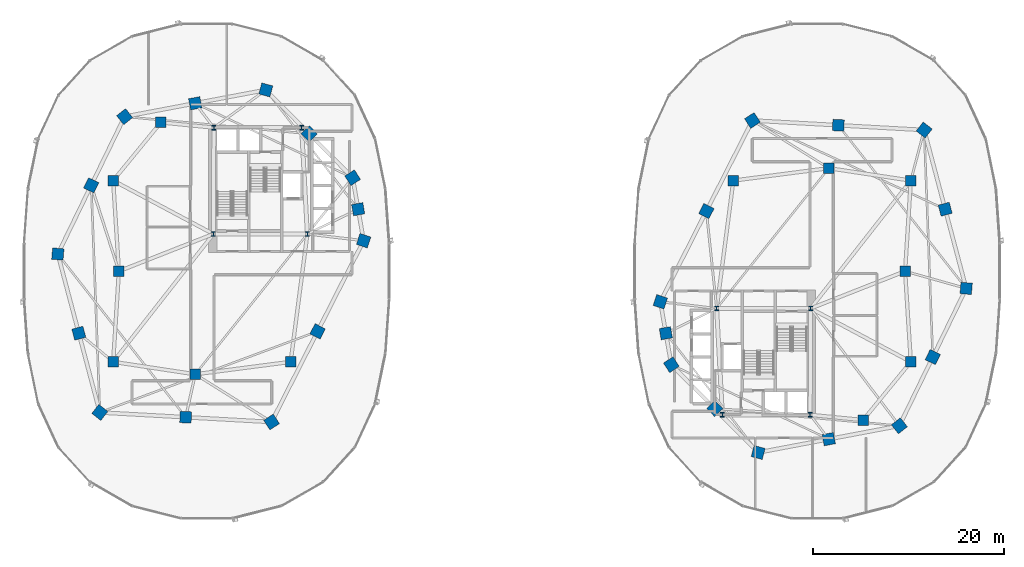
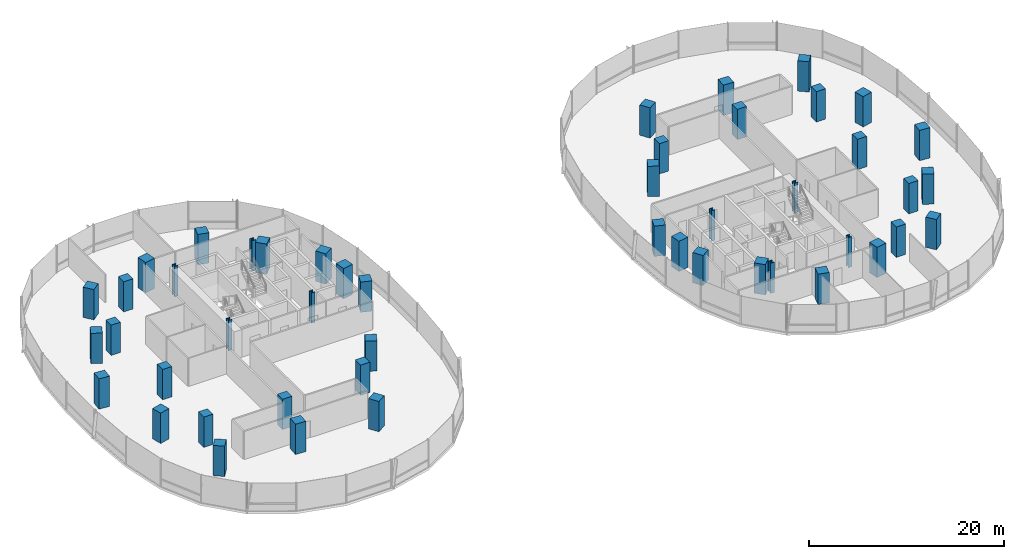
# One storey, part 1 of 21: 48 columns.
"""IFC4 building model written with IfcOpenShell, lengths in metres."""

from ifc_helpers import new_model, si_unit, direction, frame, origin, origin_2d, place, context, subcontext, project, spatial, rectangle, i_section, extrude, material, material_profile, profile_set, type_object, element, save


model = new_model("IFC4")

# Units and contexts
model_context = context("Model", 3, precision=1e-05, world=origin(), true_north=direction((0.0, 1.0)))
body_context = subcontext(model_context, "Body", "Model", "MODEL_VIEW")
ifc_project = project(units=[si_unit("LENGTHUNIT", "METRE"), si_unit("AREAUNIT", "SQUARE_METRE"), si_unit("VOLUMEUNIT", "CUBIC_METRE"), si_unit("PLANEANGLEUNIT", "RADIAN"), si_unit("MASSUNIT", "GRAM", prefix="KILO"), si_unit("THERMODYNAMICTEMPERATUREUNIT", "KELVIN"), si_unit("POWERUNIT", "WATT")], contexts=[model_context])

# Site, building, storey
site_placement = place(None, origin())
site = spatial("IfcSite", under=ifc_project, at=site_placement, CompositionType="ELEMENT")
building_placement = place(site_placement, origin())
building = spatial("IfcBuilding", under=site, at=building_placement, Name="Cundina Bronze Exchange", CompositionType="ELEMENT")
storey_placement = place(building_placement, frame((0.0, 0.0, 69.60009765625)))
storey = spatial("IfcBuildingStorey", under=building, at=storey_placement, Name="L17", CompositionType="ELEMENT", Elevation=69.60009765625)

# Columns
ifc_material_1 = material(Name="Steel ASTM A992 Grade 50", Category="steel")
ifc_material_profile_1 = material_profile(ifc_material_1, i_section(OverallWidth=0.431884765625, OverallDepth=0.498046875, WebThickness=0.0556640625, FlangeThickness=0.0888671875, FilletRadius=0.01806640625, at=origin_2d()), Name="W14X500", Category="steel")
ifc_profile_set_1 = profile_set([ifc_material_profile_1], Name="Steel ASTM A992 Grade 50")
column_type_1 = type_object("IfcColumnType", Name="COL-STL-W14A", PredefinedType="COLUMN", material=ifc_profile_set_1)
for number, where, z_axis, x_axis, name in (
    (1, (-31.300048828125, 3.89990234375, 0.0), (0.0, 0.0, 1.0), (1.0, 0.0, 0.0), "L17 Core Anchor Column W1"),
    (2, (-21.449951171875, 3.89990234375, 0.0), (0.0, 0.0, 1.0), (1.0, 0.0, 0.0), "L17 Core Anchor Column W2"),
    (3, (-22.050048828125, 15.050048828125, 0.0), (0.0, 0.0, 1.0), (1.0, 0.0, 0.0), "L17 Core Anchor Column W3"),
    (4, (-31.25, 15.050048828125, 0.0), (0.0, 0.0, 1.0), (1.0, 0.0, 0.0), "L17 Core Anchor Column W4"),
    (5, (31.300048828125, -3.89990234375, 0.0), (0.0, 0.0, 1.0), (1.0, 0.0, 0.0), "L17 Core Anchor Column E1"),
    (6, (21.449951171875, -3.89990234375, 0.0), (0.0, 0.0, 1.0), (1.0, 0.0, 0.0), "L17 Core Anchor Column E2"),
    (7, (22.050048828125, -15.050048828125, 0.0), (0.0, 0.0, 1.0), (1.0, 0.0, 0.0), "L17 Core Anchor Column E3"),
    (8, (31.25, -15.050048828125, 0.0), (0.0, 0.0, 1.0), (1.0, 0.0, 0.0), "L17 Core Anchor Column E4"),
):
    element("IfcColumn", number, at=place(storey_placement, frame(where, z_axis=z_axis, x_axis=x_axis)), inside=storey, type_object=column_type_1, Name=name, PredefinedType="COLUMN", context=body_context, shape_type="SweptSolid", body=[
        extrude(i_section(OverallWidth=0.431884765625, OverallDepth=0.498046875, WebThickness=0.0556640625, FlangeThickness=0.0888671875, FilletRadius=0.01806640625, at=origin_2d()), origin(), (0.0, 0.0, 1.0), 3.7998046875),
    ])
ifc_material_2 = material(Name="Concrete C60/75", Category="concrete")
ifc_material_profile_2 = material_profile(ifc_material_2, rectangle(XDim=1.199951171875, YDim=1.199951171875, at=origin_2d()), Name="RC1200X1200", Category="concrete")
ifc_profile_set_2 = profile_set([ifc_material_profile_2], Name="Concrete C60/75")
column_type_2 = type_object("IfcColumnType", Name="COL-Z1-1200", PredefinedType="COLUMN", material=ifc_profile_set_2)
for number, where, z_axis, x_axis, name in (
    (9, (-15.550048828125, 3.199951171875, 0.0), (0.0, 0.0, 1.0), (0.315152163383, 0.949041155016, 0.0), "L17 W Perimeter Column 00"),
    (10, (-16.125, 6.5, 0.0), (0.0, 0.0, 1.0), (-0.171585221787, 0.985169280715, 0.0), "L17 W Perimeter Column 01"),
    (11, (-16.699951171875, 9.800048828125, 0.0), (0.0, 0.0, 1.0), (-0.544199833495, 0.838955625301, 0.0), "L17 W Perimeter Column 02"),
    (12, (-21.25, 14.39990234375, 0.0), (0.0, 0.0, 1.0), (-0.703270634186, 0.710922228581, 0.0), "L17 W Perimeter Column 03"),
    (13, (-25.800048828125, 19.0, 0.0), (0.0, 0.0, 1.0), (-0.965970984022, 0.258650455301, 0.0), "L17 W Perimeter Column 04"),
    (14, (-33.199951171875, 17.60009765625, 0.0), (0.0, 0.0, 1.0), (-0.98258037664, -0.185838110843, 0.0), "L17 W Perimeter Column 05"),
    (15, (-40.60009765625, 16.199951171875, 0.0), (0.0, 0.0, 1.0), (-0.785100778485, -0.619368038909, 0.0), "L17 W Perimeter Column 06"),
    (16, (-44.10009765625, 9.0, 0.0), (0.0, 0.0, 1.0), (-0.437115766651, -0.899405251566, 0.0), "L17 W Perimeter Column 07"),
    (17, (-47.60009765625, 1.800048828125, 0.0), (0.0, 0.0, 1.0), (-0.083503921245, -0.996507448611, 0.0), "L17 W Perimeter Column 08"),
    (18, (-45.39990234375, -6.5, 0.0), (0.0, 0.0, 1.0), (0.256289373133, -0.966600102017, 0.0), "L17 W Perimeter Column 09"),
    (19, (-43.199951171875, -14.800048828125, 0.0), (0.0, 0.0, 1.0), (0.786288432137, -0.61785961309, 0.0), "L17 W Perimeter Column 10"),
    (20, (-34.199951171875, -15.300048828125, 0.0), (0.0, 0.0, 1.0), (0.998460188734, -0.055472980025, 0.0), "L17 W Perimeter Column 11"),
    (21, (-25.199951171875, -15.800048828125, 0.0), (0.0, 0.0, 1.0), (0.838099763533, 0.545516989988, 0.0), "L17 W Perimeter Column 12"),
    (22, (-20.375, -6.300048828125, 0.0), (0.0, 0.0, 1.0), (0.452901591366, 0.891560513111, 0.0), "L17 W Perimeter Column 13"),
    (23, (15.550048828125, -3.199951171875, 0.0), (0.0, 0.0, 1.0), (-0.315152163383, -0.949041155016, 0.0), "L17 E Perimeter Column 00"),
    (24, (16.125, -6.5, 0.0), (0.0, 0.0, 1.0), (0.171585221787, -0.985169280715, 0.0), "L17 E Perimeter Column 01"),
    (25, (16.699951171875, -9.800048828125, 0.0), (0.0, 0.0, 1.0), (0.544199833495, -0.838955625301, 0.0), "L17 E Perimeter Column 02"),
    (26, (21.25, -14.39990234375, 0.0), (0.0, 0.0, 1.0), (0.703270634186, -0.710922228581, 0.0), "L17 E Perimeter Column 03"),
    (27, (25.800048828125, -19.0, 0.0), (0.0, 0.0, 1.0), (0.965970984022, -0.258650455301, 0.0), "L17 E Perimeter Column 04"),
    (28, (33.199951171875, -17.60009765625, 0.0), (0.0, 0.0, 1.0), (0.98258037664, 0.185838110843, 0.0), "L17 E Perimeter Column 05"),
    (29, (40.60009765625, -16.199951171875, 0.0), (0.0, 0.0, 1.0), (0.785100778485, 0.619368038909, 0.0), "L17 E Perimeter Column 06"),
    (30, (44.10009765625, -9.0, 0.0), (0.0, 0.0, 1.0), (0.437115766651, 0.899405251566, 0.0), "L17 E Perimeter Column 07"),
    (31, (47.60009765625, -1.800048828125, 0.0), (0.0, 0.0, 1.0), (0.083503921245, 0.996507448611, 0.0), "L17 E Perimeter Column 08"),
    (32, (45.39990234375, 6.5, 0.0), (0.0, 0.0, 1.0), (-0.256289373133, 0.966600102017, 0.0), "L17 E Perimeter Column 09"),
    (33, (43.199951171875, 14.800048828125, 0.0), (0.0, 0.0, 1.0), (-0.786288432137, 0.61785961309, 0.0), "L17 E Perimeter Column 10"),
    (34, (34.199951171875, 15.300048828125, 0.0), (0.0, 0.0, 1.0), (-0.998460188734, 0.055472980025, 0.0), "L17 E Perimeter Column 11"),
    (35, (25.199951171875, 15.800048828125, 0.0), (0.0, 0.0, 1.0), (-0.838099763533, -0.545516989988, 0.0), "L17 E Perimeter Column 12"),
    (36, (20.375, 6.300048828125, 0.0), (0.0, 0.0, 1.0), (-0.452901591366, -0.891560513111, 0.0), "L17 E Perimeter Column 13"),
):
    element("IfcColumn", number, at=place(storey_placement, frame(where, z_axis=z_axis, x_axis=x_axis)), inside=storey, type_object=column_type_2, Name=name, PredefinedType="COLUMN", context=body_context, shape_type="SweptSolid", body=[
        extrude(rectangle(XDim=1.199951171875, YDim=1.199951171875, at=origin_2d()), origin(), (0.0, 0.0, 1.0), 3.7998046875),
    ])
ifc_material_profile_3 = material_profile(ifc_material_2, rectangle(XDim=1.10009765625, YDim=1.10009765625, at=origin_2d()), Name="RC1100X1100", Category="concrete")
ifc_profile_set_3 = profile_set([ifc_material_profile_3], Name="Concrete C60/75")
column_type_3 = type_object("IfcColumnType", Name="COL-Z2-1100", PredefinedType="COLUMN", material=ifc_profile_set_3)
for number, where, z_axis, x_axis, name in (
    (37, (-41.199951171875, 0.0, 0.0), (0.0, 0.0, 1.0), (1.0, 0.0, 0.0), "L17 W Inner Ring Column 1"),
    (38, (-41.800048828125, 9.5, 0.0), (0.0, 0.0, 1.0), (1.0, 0.0, 0.0), "L17 W Inner Ring Column 2"),
    (39, (-36.800048828125, 15.60009765625, 0.0), (0.0, 0.0, 1.0), (1.0, 0.0, 0.0), "L17 W Inner Ring Column 3"),
    (40, (-41.800048828125, -9.5, 0.0), (0.0, 0.0, 1.0), (1.0, 0.0, 0.0), "L17 W Inner Ring Column 4"),
    (41, (-33.199951171875, -10.800048828125, 0.0), (0.0, 0.0, 1.0), (1.0, 0.0, 0.0), "L17 W Inner Ring Column 5"),
    (42, (-23.199951171875, -9.5, 0.0), (0.0, 0.0, 1.0), (1.0, 0.0, 0.0), "L17 W Inner Ring Column 6"),
    (43, (41.199951171875, 0.0, 0.0), (0.0, 0.0, 1.0), (1.0, 0.0, 0.0), "L17 E Inner Ring Column 1"),
    (44, (41.800048828125, -9.5, 0.0), (0.0, 0.0, 1.0), (1.0, 0.0, 0.0), "L17 E Inner Ring Column 2"),
    (45, (36.800048828125, -15.60009765625, 0.0), (0.0, 0.0, 1.0), (1.0, 0.0, 0.0), "L17 E Inner Ring Column 3"),
    (46, (41.800048828125, 9.5, 0.0), (0.0, 0.0, 1.0), (1.0, 0.0, 0.0), "L17 E Inner Ring Column 4"),
    (47, (33.199951171875, 10.800048828125, 0.0), (0.0, 0.0, 1.0), (1.0, 0.0, 0.0), "L17 E Inner Ring Column 5"),
    (48, (23.199951171875, 9.5, 0.0), (0.0, 0.0, 1.0), (1.0, 0.0, 0.0), "L17 E Inner Ring Column 6"),
):
    element("IfcColumn", number, at=place(storey_placement, frame(where, z_axis=z_axis, x_axis=x_axis)), inside=storey, type_object=column_type_3, Name=name, PredefinedType="COLUMN", context=body_context, shape_type="SweptSolid", body=[
        extrude(rectangle(XDim=1.10009765625, YDim=1.10009765625, at=origin_2d()), origin(), (0.0, 0.0, 1.0), 3.7998046875),
    ])

save(model, "model.ifc")
